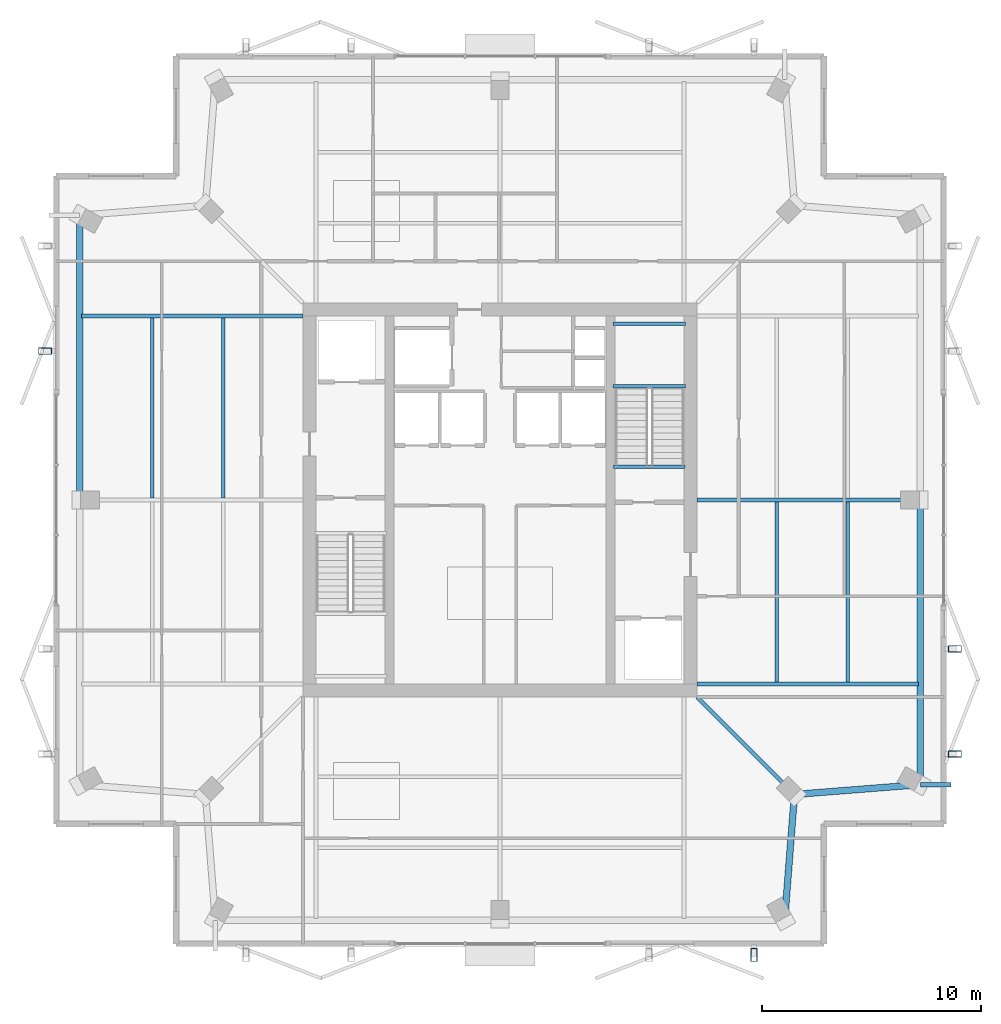
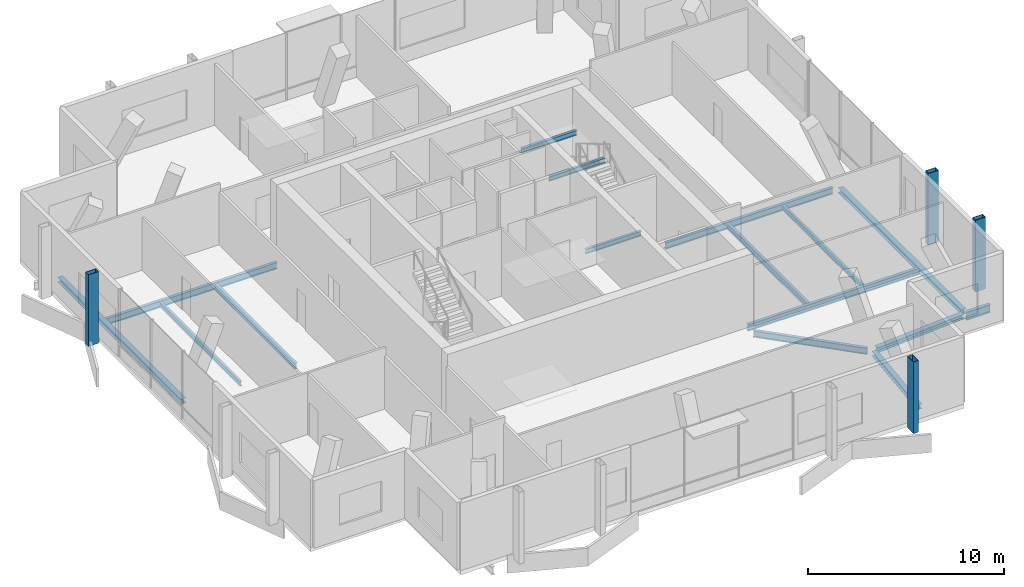
# One storey, part 6 of 16: 16 beams, 4 members.
"""IFC4 building model written with IfcOpenShell, lengths in metres."""

from ifc_helpers import new_model, si_unit, direction, frame, origin, origin_2d, place, context, subcontext, project, spatial, hollow_rectangle, i_section, extrude, material, material_profile, profile_set, type_object, element, save


model = new_model("IFC4")

# Units and contexts
model_context = context("Model", 3, precision=1e-05, world=origin(), true_north=direction((0.0, 1.0)))
body_context = subcontext(model_context, "Body", "Model", "MODEL_VIEW")
ifc_project = project(units=[si_unit("LENGTHUNIT", "METRE"), si_unit("AREAUNIT", "SQUARE_METRE"), si_unit("VOLUMEUNIT", "CUBIC_METRE"), si_unit("PLANEANGLEUNIT", "RADIAN"), si_unit("MASSUNIT", "GRAM", prefix="KILO")], contexts=[model_context])

# Site, building, storey
site_placement = place(None, origin())
site = spatial("IfcSite", under=ifc_project, at=site_placement, CompositionType="ELEMENT")
building_placement = place(site_placement, origin())
building = spatial("IfcBuilding", under=site, at=building_placement, Name="Belovzor Exchange Tower", CompositionType="ELEMENT")
storey_placement = place(building_placement, frame((0.0, 0.0, 364.5)))
storey = spatial("IfcBuildingStorey", under=building, at=storey_placement, Name="L91", CompositionType="ELEMENT", Elevation=364.5)

# Beams
ifc_material_1 = material(Name="Steel S355", Category="steel")
ifc_material_profile_1 = material_profile(ifc_material_1, i_section(OverallWidth=0.199951171875, OverallDepth=0.5, WebThickness=0.01025390625, FlangeThickness=0.01611328125, at=origin_2d()))
ifc_profile_set_1 = profile_set([ifc_material_profile_1], Name="Steel S355")
beam_type_1 = type_object("IfcBeamType", Name="Planted Balcony Cantilever Beam IPE 500", PredefinedType="BEAM", material=ifc_profile_set_1)
beam_1_placement = place(storey_placement, frame((48.0, 15.800048828125, -0.510009765625), z_axis=(1.0, 0.0, 0.0), x_axis=(0.0, 1.0, 0.0)))
element("IfcBeam", 1, at=beam_1_placement, inside=storey, type_object=beam_type_1, Name="BC-500 Planted Balcony Cantilever Beam IPE 500", PredefinedType="BEAM", context=body_context, shape_type="SweptSolid", body=[
    extrude(i_section(OverallWidth=0.199951171875, OverallDepth=0.5, WebThickness=0.01025390625, FlangeThickness=0.01611328125, at=origin_2d()), origin(), (0.0, 0.0, 1.0), 1.39990234375),
])
ifc_material_2 = material(Name="Steel S355", Category="steel")
ifc_material_profile_2 = material_profile(ifc_material_2, i_section(OverallWidth=0.169921875, OverallDepth=0.360107421875, WebThickness=0.008056640625, FlangeThickness=0.0126953125, at=origin_2d()))
ifc_profile_set_2 = profile_set([ifc_material_profile_2], Name="Steel S355")
beam_type_2 = type_object("IfcBeamType", Name="Secondary Infill Floor Joist IPE 360", PredefinedType="BEAM", material=ifc_profile_set_2)
beam_2_placement = place(storey_placement, frame((16.155029296875, 28.889892578125, -0.43994140625), z_axis=(0.0, 1.0, 0.0), x_axis=(-1.0, 0.0, 0.0)))
element("IfcBeam", 2, at=beam_2_placement, inside=storey, type_object=beam_type_2, Name="FJ-360 Secondary Infill Floor Joist IPE 360", PredefinedType="BEAM", context=body_context, shape_type="SweptSolid", body=[
    extrude(i_section(OverallWidth=0.169921875, OverallDepth=0.360107421875, WebThickness=0.008056640625, FlangeThickness=0.0126953125, at=origin_2d()), origin(), (0.0, 0.0, 1.0), 8.22021484375),
])
beam_3_placement = place(storey_placement, frame((41.445068359375, 20.489990234375, -0.43994140625), z_axis=(0.0, 1.0, 0.0), x_axis=(-1.0, 0.0, 0.0)))
element("IfcBeam", 3, at=beam_3_placement, inside=storey, type_object=beam_type_2, Name="FJ-360 Secondary Infill Floor Joist IPE 360", PredefinedType="BEAM", context=body_context, shape_type="SweptSolid", body=[
    extrude(i_section(OverallWidth=0.169921875, OverallDepth=0.360107421875, WebThickness=0.008056640625, FlangeThickness=0.0126953125, at=origin_2d()), origin(), (0.0, 0.0, 1.0), 8.219970703125),
])
ifc_material_3 = material(Name="Steel S355", Category="steel")
ifc_material_profile_3 = material_profile(ifc_material_3, i_section(OverallWidth=0.14990234375, OverallDepth=0.300048828125, WebThickness=0.007080078125, FlangeThickness=0.0107421875, at=origin_2d()))
ifc_profile_set_3 = profile_set([ifc_material_profile_3], Name="Steel S355")
beam_type_3 = type_object("IfcBeamType", Name="Secondary Trim Floor Joist IPE 300", PredefinedType="BEAM", material=ifc_profile_set_3)
for number, where, z_axis, x_axis, name in (
    (4, (37.280029296875, 34.0, 1.89990234375), (-1.0, 0.0, 0.0), (0.0, -1.0, 0.0), "FJ-300 Secondary Trim Floor Joist IPE 300"),
    (5, (37.280029296875, 36.85009765625, 1.89990234375), (-1.0, 0.0, 0.0), (0.0, -1.0, 0.0), "FJ-300 Secondary Trim Floor Joist IPE 300"),
):
    element("IfcBeam", number, at=place(storey_placement, frame(where, z_axis=z_axis, x_axis=x_axis)), inside=storey, type_object=beam_type_3, Name=name, PredefinedType="BEAM", context=body_context, shape_type="SweptSolid", body=[
        extrude(i_section(OverallWidth=0.14990234375, OverallDepth=0.300048828125, WebThickness=0.007080078125, FlangeThickness=0.0107421875, at=origin_2d()), origin(), (0.0, 0.0, 1.0), 3.31005859375),
    ])
beam_4_placement = place(storey_placement, frame((37.260009765625, 30.320068359375, -0.409912109375), z_axis=(-1.0, 0.0, 0.0), x_axis=(0.0, -1.0, 0.0)))
element("IfcBeam", 6, at=beam_4_placement, inside=storey, type_object=beam_type_3, Name="FJ-300 Secondary Trim Floor Joist IPE 300", PredefinedType="BEAM", context=body_context, shape_type="SweptSolid", body=[
    extrude(i_section(OverallWidth=0.14990234375, OverallDepth=0.300048828125, WebThickness=0.007080078125, FlangeThickness=0.0107421875, at=origin_2d()), origin(), (0.0, 0.0, 1.0), 3.27001953125),
])
beam_5_placement = place(storey_placement, frame((12.9150390625, 28.889892578125, -0.409912109375), z_axis=(0.0, 1.0, 0.0), x_axis=(-1.0, 0.0, 0.0)))
element("IfcBeam", 7, at=beam_5_placement, inside=storey, type_object=beam_type_3, Name="FJ-300 Secondary Trim Floor Joist IPE 300", PredefinedType="BEAM", context=body_context, shape_type="SweptSolid", body=[
    extrude(i_section(OverallWidth=0.14990234375, OverallDepth=0.300048828125, WebThickness=0.007080078125, FlangeThickness=0.0107421875, at=origin_2d()), origin(), (0.0, 0.0, 1.0), 8.22021484375),
])
beam_6_placement = place(storey_placement, frame((44.68505859375, 20.489990234375, -0.409912109375), z_axis=(0.0, 1.0, 0.0), x_axis=(-1.0, 0.0, 0.0)))
element("IfcBeam", 8, at=beam_6_placement, inside=storey, type_object=beam_type_3, Name="FJ-300 Secondary Trim Floor Joist IPE 300", PredefinedType="BEAM", context=body_context, shape_type="SweptSolid", body=[
    extrude(i_section(OverallWidth=0.14990234375, OverallDepth=0.300048828125, WebThickness=0.007080078125, FlangeThickness=0.0107421875, at=origin_2d()), origin(), (0.0, 0.0, 1.0), 8.219970703125),
])

# Members
ifc_material_4 = material(Name="Extruded Architectural Terracotta on Steel S355 Carrier", Category="masonry")
ifc_material_profile_4 = material_profile(ifc_material_4, hollow_rectangle(XDim=0.300048828125, YDim=0.60009765625, WallThickness=0.01611328125, at=origin_2d()))
ifc_profile_set_4 = profile_set([ifc_material_profile_4], Name="Extruded Architectural Terracotta on Steel S355 Carrier")
member_type = type_object("IfcMemberType", Name="Upper Crown Terracotta Fin Assembly 550", PredefinedType="USERDEFINED", material=ifc_profile_set_4)
for number, where, z_axis, x_axis, name in (
    (9, (49.574951171875, 17.199951171875, -0.260009765625), (0.0, 0.0, 1.0), (0.0, 1.0, 0.0), "FIN-TC055 Terracotta Facade Fin L91 E1"),
    (10, (49.574951171875, 22.0, -0.260009765625), (0.0, 0.0, 1.0), (0.0, 1.0, 0.0), "FIN-TC055 Terracotta Facade Fin L91 E2"),
    (11, (8.02490234375, 35.60009765625, -0.260009765625), (0.0, 0.0, 1.0), (0.0, 1.0, 0.0), "FIN-TC055 Terracotta Facade Fin L91 W3"),
    (12, (40.39990234375, 8.02490234375, -0.260009765625), (0.0, 0.0, 1.0), (1.0, 0.0, 0.0), "FIN-TC055 Terracotta Facade Fin L91 S4"),
):
    element("IfcMember", number, at=place(storey_placement, frame(where, z_axis=z_axis, x_axis=x_axis)), inside=storey, type_object=member_type, Name=name, ObjectType="FIN", PredefinedType="USERDEFINED", context=body_context, shape_type="SweptSolid", body=[
        extrude(hollow_rectangle(XDim=0.300048828125, YDim=0.60009765625, WallThickness=0.01611328125, at=origin_2d()), origin(), (0.0, 0.0, 1.0), 4.4599609375),
    ])

# Beams
ifc_material_5 = material(Name="Steel S355", Category="steel")
ifc_material_profile_5 = material_profile(ifc_material_5, i_section(OverallWidth=0.179931640625, OverallDepth=0.39990234375, WebThickness=0.008544921875, FlangeThickness=0.013427734375, at=origin_2d()))
ifc_profile_set_5 = profile_set([ifc_material_profile_5], Name="Steel S355")
beam_type_4 = type_object("IfcBeamType", Name="Zone 5-6 Radial Composite Floor Beam IPE 400", PredefinedType="BEAM", material=ifc_profile_set_5)
for number, where, z_axis, x_axis, name in (
    (13, (19.800048828125, 37.199951171875, -0.4599609375), (-1.0, 0.0, 0.0), (0.0, -1.0, 0.0), "FB-400 Zone 5-6 Radial Composite Floor Beam IPE 400"),
    (14, (37.800048828125, 20.39990234375, -0.4599609375), (1.0, 0.0, 0.0), (0.0, 1.0, 0.0), "FB-400 Zone 5-6 Radial Composite Floor Beam IPE 400"),
):
    element("IfcBeam", number, at=place(storey_placement, frame(where, z_axis=z_axis, x_axis=x_axis)), inside=storey, type_object=beam_type_4, Name=name, PredefinedType="BEAM", context=body_context, shape_type="SweptSolid", body=[
        extrude(i_section(OverallWidth=0.179931640625, OverallDepth=0.39990234375, WebThickness=0.008544921875, FlangeThickness=0.013427734375, at=origin_2d()), origin(), (0.0, 0.0, 1.0), 10.125),
    ])
beam_7_placement = place(storey_placement, frame((37.800048828125, 28.800048828125, -0.4599609375), z_axis=(1.0, 0.0, 0.0), x_axis=(0.0, 1.0, 0.0)))
element("IfcBeam", 15, at=beam_7_placement, inside=storey, type_object=beam_type_4, Name="FB-400 Zone 5-6 Radial Composite Floor Beam IPE 400", PredefinedType="BEAM", context=body_context, shape_type="SweptSolid", body=[
    extrude(i_section(OverallWidth=0.179931640625, OverallDepth=0.39990234375, WebThickness=0.008544921875, FlangeThickness=0.013427734375, at=origin_2d()), origin(), (0.0, 0.0, 1.0), 9.847900390625),
])
beam_8_placement = place(storey_placement, frame((37.800048828125, 19.800048828125, -0.4599609375), z_axis=(0.707106781187, -0.707106781187, 0.0), x_axis=(0.707106781187, 0.707106781187, 0.0)))
element("IfcBeam", 16, at=beam_8_placement, inside=storey, type_object=beam_type_4, Name="FB-400 Zone 5-6 Radial Composite Floor Beam IPE 400", PredefinedType="BEAM", context=body_context, shape_type="SweptSolid", body=[
    extrude(i_section(OverallWidth=0.179931640625, OverallDepth=0.39990234375, WebThickness=0.008544921875, FlangeThickness=0.013427734375, at=origin_2d()), origin(), (0.0, 0.0, 1.0), 6.010498046875),
])
ifc_material_6 = material(Name="Steel S355", Category="steel")
ifc_material_profile_6 = material_profile(ifc_material_6, i_section(OverallWidth=0.300048828125, OverallDepth=0.300048828125, WebThickness=0.008544921875, FlangeThickness=0.013916015625, at=origin_2d()))
ifc_profile_set_6 = profile_set([ifc_material_profile_6], Name="Steel S355")
beam_type_5 = type_object("IfcBeamType", Name="Zone 6 Primary Girder HEA 300", PredefinedType="BEAM", material=ifc_profile_set_6)
for number, where, z_axis, x_axis, name in (
    (17, (41.81689453125, 9.819091796875, -0.409912109375), (0.078076949164, 0.996947335625, 0.0), (-0.996947335625, 0.078076949164, 0.0), "FG-Z6 Zone 6 Primary Girder HEA 300"),
    (18, (42.468994140625, 15.366943359375, -0.409912109375), (0.996947335625, 0.078076949164, 0.0), (-0.078076949164, 0.996947335625, 0.0), "FG-Z6 Zone 6 Primary Girder HEA 300"),
):
    element("IfcBeam", number, at=place(storey_placement, frame(where, z_axis=z_axis, x_axis=x_axis)), inside=storey, type_object=beam_type_5, Name=name, PredefinedType="BEAM", context=body_context, shape_type="SweptSolid", body=[
        extrude(i_section(OverallWidth=0.300048828125, OverallDepth=0.300048828125, WebThickness=0.008544921875, FlangeThickness=0.013916015625, at=origin_2d()), origin(), (0.0, 0.0, 1.0), 5.328369140625),
    ])
for number, where, z_axis, x_axis, name in (
    (19, (48.0, 16.02001953125, -0.409912109375), (0.0, 1.0, 0.0), (-1.0, 0.0, 0.0), "FG-Z6 Zone 6 Primary Girder HEA 300"),
    (20, (9.60009765625, 41.580078125, -0.409912109375), (0.0, -1.0, 0.0), (1.0, 0.0, 0.0), "FG-Z6 Zone 6 Primary Girder HEA 300"),
):
    element("IfcBeam", number, at=place(storey_placement, frame(where, z_axis=z_axis, x_axis=x_axis)), inside=storey, type_object=beam_type_5, Name=name, PredefinedType="BEAM", context=body_context, shape_type="SweptSolid", body=[
        extrude(i_section(OverallWidth=0.300048828125, OverallDepth=0.300048828125, WebThickness=0.008544921875, FlangeThickness=0.013916015625, at=origin_2d()), origin(), (0.0, 0.0, 1.0), 12.56005859375),
    ])

save(model, "model.ifc")
